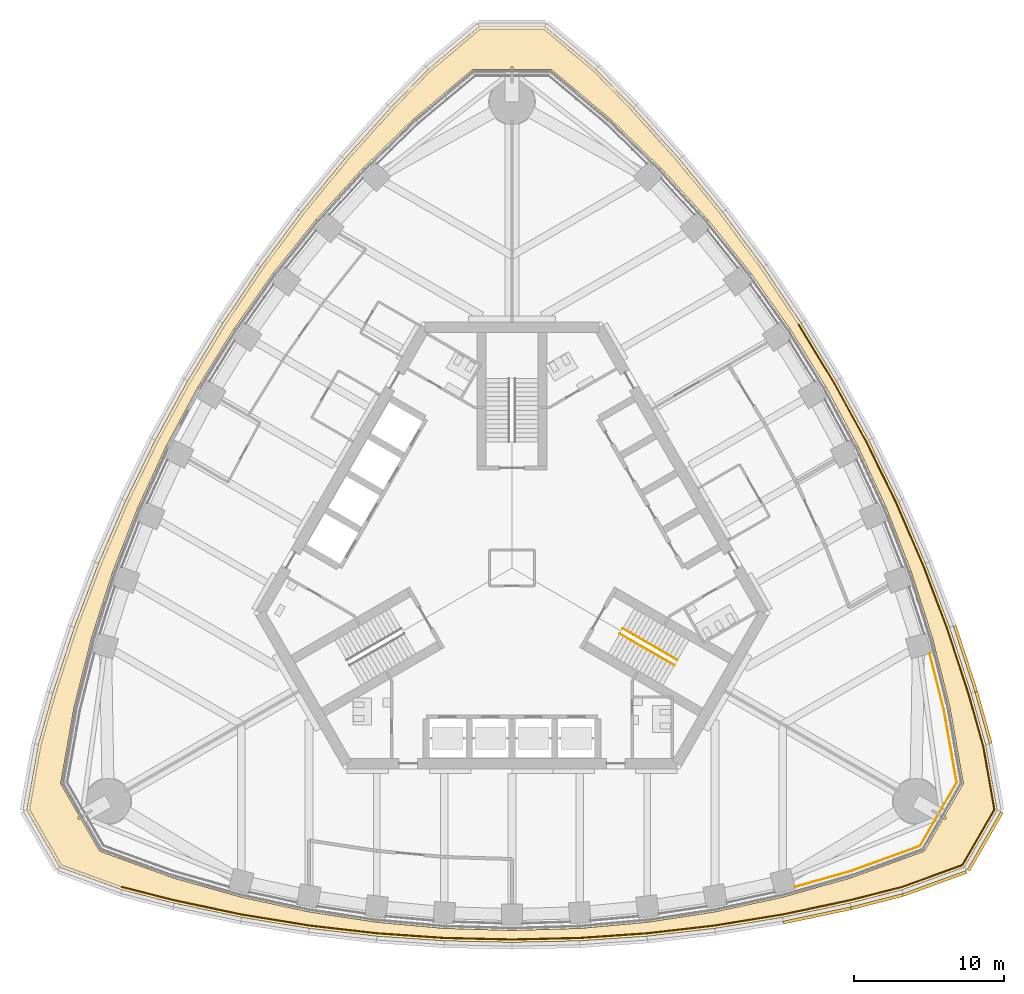
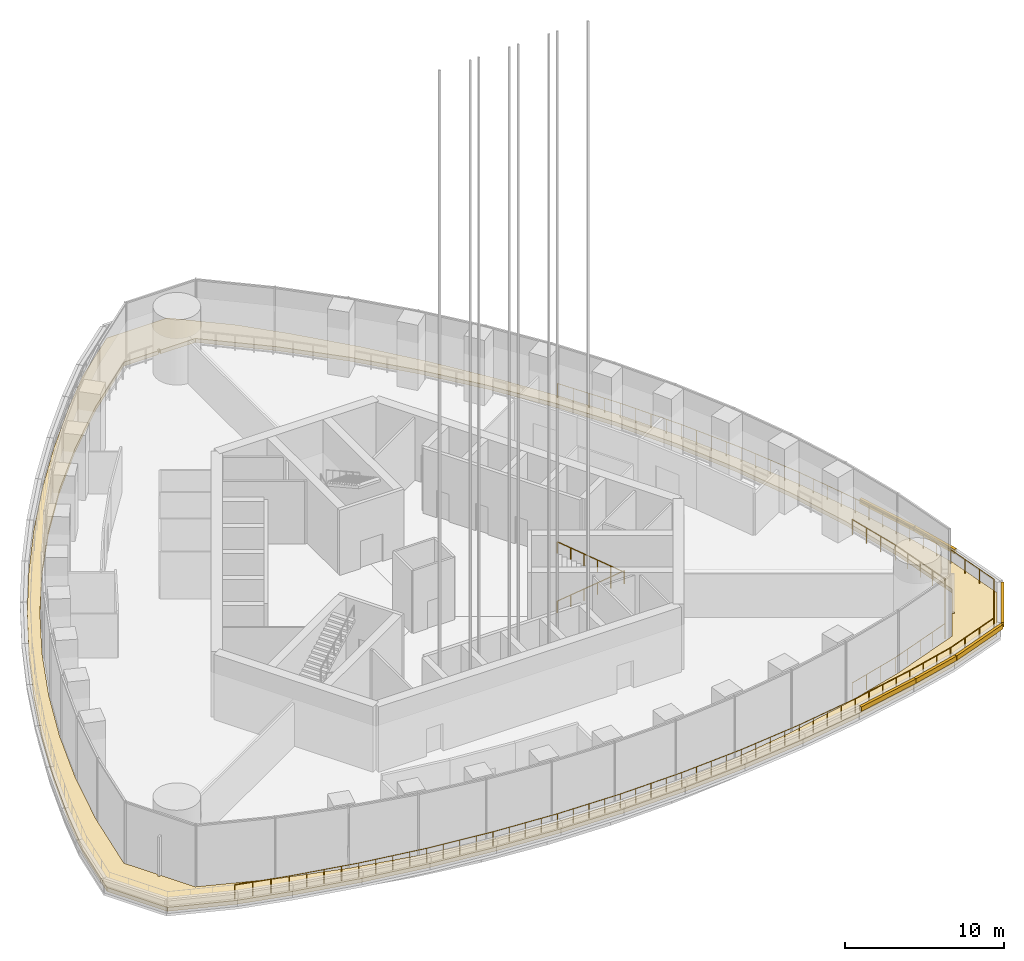
# One storey, part 14 of 26: 7 coverings, 5 railings.
"""IFC4 building model written with IfcOpenShell, lengths in metres."""

from ifc_helpers import new_model, si_unit, direction, frame, origin, origin_2d, place, context, subcontext, project, spatial, polyline, rectangle, circle, outline, extrude, material, layer, layer_set, type_object, element, save


model = new_model("IFC4")

# Units and contexts
model_context = context("Model", 3, precision=1e-05, world=origin(), true_north=direction((0.0, 1.0)))
body_context = subcontext(model_context, "Body", "Model", "MODEL_VIEW")
ifc_project = project(units=[si_unit("LENGTHUNIT", "METRE"), si_unit("AREAUNIT", "SQUARE_METRE"), si_unit("VOLUMEUNIT", "CUBIC_METRE"), si_unit("PLANEANGLEUNIT", "RADIAN"), si_unit("MASSUNIT", "GRAM", prefix="KILO")], contexts=[model_context])

# Site, building, storey
site_placement = place(None, origin())
site = spatial("IfcSite", under=ifc_project, at=site_placement, CompositionType="ELEMENT")
building_placement = place(site_placement, origin())
building = spatial("IfcBuilding", under=site, at=building_placement, Name="Trefoil Bronze Tower", CompositionType="ELEMENT")
storey_placement = place(building_placement, frame((0.0, 0.0, 271.300048828125)))
storey = spatial("IfcBuildingStorey", under=building, at=storey_placement, Name="L62", CompositionType="ELEMENT", Elevation=271.300048828125)

# Railings
ifc_material_1 = material(Name="Bronze-finish steel guard rail and posts", Category="steel")
railing_type_1 = type_object("IfcRailingType", Name="Glazing guard 1200", PredefinedType="GUARDRAIL", material=ifc_material_1)
railing_1_placement = place(storey_placement, frame((18.819580078125, -21.20849609375, 0.0)))
element("IfcRailing", 1, at=railing_1_placement, inside=storey, type_object=railing_type_1, Name="Glazing guard L62.12", PredefinedType="GUARDRAIL", context=body_context, shape_type="SweptSolid", body=[
    extrude(circle(Radius=0.02392578125, at=origin_2d()), frame((0.0, 0.0, 1.17578125), z_axis=(0.962099460504, 0.272698786389, 0.0), x_axis=(-0.272698786389, 0.962099460504, 0.0)), (0.0, 0.0, 1.0), 3.875732421875),
    extrude(circle(Radius=0.02392578125, at=origin_2d()), frame((3.728759765625, 1.056884765625, 1.17578125), z_axis=(0.939688198053, 0.342032294441, 0.0), x_axis=(-0.342032294441, 0.939688198053, 0.0)), (0.0, 0.0, 1.0), 4.87939453125),
    extrude(circle(Radius=0.02392578125, at=origin_2d()), frame((8.31396484375, 2.725830078125, 1.17578125), z_axis=(0.500014398087, 0.866017090885, 0.0), x_axis=(-0.866017090885, 0.500014398087, 0.0)), (0.0, 0.0, 1.0), 2.36474609375),
    extrude(circle(Radius=0.02099609375, at=origin_2d()), origin(), (0.0, 0.0, 1.0), 1.15185546875),
    extrude(circle(Radius=0.02099609375, at=origin_2d()), frame((1.242919921875, 0.352294921875, 0.0)), (0.0, 0.0, 1.0), 1.15185546875),
    extrude(circle(Radius=0.02099609375, at=origin_2d()), frame((2.48583984375, 0.70458984375, 0.0)), (0.0, 0.0, 1.0), 1.15185546875),
    extrude(circle(Radius=0.02099609375, at=origin_2d()), frame((3.728759765625, 1.056884765625, 0.0)), (0.0, 0.0, 1.0), 1.15185546875),
    extrude(circle(Radius=0.02099609375, at=origin_2d()), frame((4.875, 1.47412109375, 0.0)), (0.0, 0.0, 1.0), 1.15185546875),
    extrude(circle(Radius=0.02099609375, at=origin_2d()), frame((6.021484375, 1.891357421875, 0.0)), (0.0, 0.0, 1.0), 1.15185546875),
    extrude(circle(Radius=0.02099609375, at=origin_2d()), frame((7.167724609375, 2.30859375, 0.0)), (0.0, 0.0, 1.0), 1.15185546875),
    extrude(circle(Radius=0.02099609375, at=origin_2d()), frame((8.31396484375, 2.725830078125, 0.0)), (0.0, 0.0, 1.0), 1.15185546875),
    extrude(circle(Radius=0.02099609375, at=origin_2d()), frame((8.9052734375, 3.749755859375, 0.0)), (0.0, 0.0, 1.0), 1.15185546875),
    extrude(circle(Radius=0.02099609375, at=origin_2d()), frame((9.496337890625, 4.773681640625, 0.0)), (0.0, 0.0, 1.0), 1.15185546875),
])
railing_2_placement = place(storey_placement, frame((28.390869140625, -16.304931640625, 0.0)))
element("IfcRailing", 2, at=railing_2_placement, inside=storey, type_object=railing_type_1, Name="Glazing guard L62.13", PredefinedType="GUARDRAIL", context=body_context, shape_type="SweptSolid", body=[
    extrude(circle(Radius=0.02392578125, at=origin_2d()), frame((0.0, 0.0, 1.17578125), z_axis=(0.499969694265, 0.866042900102, 0.0), x_axis=(-0.866042900102, 0.499969694265, 0.0)), (0.0, 0.0, 1.0), 2.364990234375),
    extrude(circle(Radius=0.02392578125, at=origin_2d()), frame((1.182373046875, 2.048095703125, 1.17578125), z_axis=(-0.173674011699, 0.984803197426, 0.0), x_axis=(-0.984803197426, -0.173674011699, 0.0)), (0.0, 0.0, 1.0), 4.87939453125),
    extrude(circle(Radius=0.02392578125, at=origin_2d()), frame((0.3349609375, 6.853271484375, 1.17578125), z_axis=(-0.244847086549, 0.969561707272, 0.0), x_axis=(-0.969561707272, -0.244847086549, 0.0)), (0.0, 0.0, 1.0), 3.875732421875),
    extrude(circle(Radius=0.02099609375, at=origin_2d()), origin(), (0.0, 0.0, 1.0), 1.15185546875),
    extrude(circle(Radius=0.02099609375, at=origin_2d()), frame((0.59130859375, 1.02392578125, 0.0)), (0.0, 0.0, 1.0), 1.15185546875),
    extrude(circle(Radius=0.02099609375, at=origin_2d()), frame((1.182373046875, 2.048095703125, 0.0)), (0.0, 0.0, 1.0), 1.15185546875),
    extrude(circle(Radius=0.02099609375, at=origin_2d()), frame((0.970458984375, 3.24951171875, 0.0)), (0.0, 0.0, 1.0), 1.15185546875),
    extrude(circle(Radius=0.02099609375, at=origin_2d()), frame((0.7587890625, 4.45068359375, 0.0)), (0.0, 0.0, 1.0), 1.15185546875),
    extrude(circle(Radius=0.02099609375, at=origin_2d()), frame((0.546875, 5.65185546875, 0.0)), (0.0, 0.0, 1.0), 1.15185546875),
    extrude(circle(Radius=0.02099609375, at=origin_2d()), frame((0.3349609375, 6.853271484375, 0.0)), (0.0, 0.0, 1.0), 1.15185546875),
    extrude(circle(Radius=0.02099609375, at=origin_2d()), frame((0.0185546875, 8.10595703125, 0.0)), (0.0, 0.0, 1.0), 1.15185546875),
    extrude(circle(Radius=0.02099609375, at=origin_2d()), frame((-0.297607421875, 9.3583984375, 0.0)), (0.0, 0.0, 1.0), 1.15185546875),
    extrude(circle(Radius=0.02099609375, at=origin_2d()), frame((-0.614013671875, 10.611083984375, 0.0)), (0.0, 0.0, 1.0), 1.15185546875),
])
ifc_material_2 = material(Name="Steel handrail", Category="steel")
railing_type_2 = type_object("IfcRailingType", Name="Handrail 900", PredefinedType="HANDRAIL", material=ifc_material_2)
railing_3_placement = place(storey_placement, frame((7.365966796875, -4.021728515625, 0.16650390625)))
element("IfcRailing", 3, at=railing_3_placement, inside=storey, type_object=railing_type_2, Name="Handrail ST1 flight 1 L62", PredefinedType="HANDRAIL", context=body_context, shape_type="SweptSolid", body=[
    extrude(circle(Radius=0.02392578125, at=origin_2d()), frame((0.0, 0.0, 0.8759765625), z_axis=(0.75701437253, -0.437094753155, 0.485672128651), x_axis=(0.500027713859, 0.866009402589, 0.0)), (0.0, 0.0, 1.0), 4.8046875),
    extrude(circle(Radius=0.02099609375, at=origin_2d()), origin(), (0.0, 0.0, 1.0), 0.851806640625),
    extrude(circle(Radius=0.02099609375, at=origin_2d()), frame((0.7275390625, -0.419921875, 0.466796875)), (0.0, 0.0, 1.0), 0.851806640625),
    extrude(circle(Radius=0.02099609375, at=origin_2d()), frame((1.454833984375, -0.840087890625, 0.933349609375)), (0.0, 0.0, 1.0), 0.851806640625),
    extrude(circle(Radius=0.02099609375, at=origin_2d()), frame((2.182373046875, -1.260009765625, 1.400146484375)), (0.0, 0.0, 1.0), 0.851806640625),
    extrude(circle(Radius=0.02099609375, at=origin_2d()), frame((2.90966796875, -1.68017578125, 1.86669921875)), (0.0, 0.0, 1.0), 0.851806640625),
    extrude(circle(Radius=0.02099609375, at=origin_2d()), frame((3.63720703125, -2.10009765625, 2.33349609375)), (0.0, 0.0, 1.0), 0.851806640625),
])
railing_4_placement = place(storey_placement, frame((10.80322265625, -6.46826171875, 2.66650390625)))
element("IfcRailing", 4, at=railing_4_placement, inside=storey, type_object=railing_type_2, Name="Handrail ST1 flight 2 L62", PredefinedType="HANDRAIL", context=body_context, shape_type="SweptSolid", body=[
    extrude(circle(Radius=0.02392578125, at=origin_2d()), frame((0.0, 0.0, 0.8759765625), z_axis=(-0.75701437253, 0.437094753155, 0.485672128651), x_axis=(-0.500027713859, -0.866009402589, 0.0)), (0.0, 0.0, 1.0), 4.8046875),
    extrude(circle(Radius=0.02099609375, at=origin_2d()), origin(), (0.0, 0.0, 1.0), 0.851806640625),
    extrude(circle(Radius=0.02099609375, at=origin_2d()), frame((-0.7275390625, 0.419921875, 0.466796875)), (0.0, 0.0, 1.0), 0.851806640625),
    extrude(circle(Radius=0.02099609375, at=origin_2d()), frame((-1.454833984375, 0.840087890625, 0.933349609375)), (0.0, 0.0, 1.0), 0.851806640625),
    extrude(circle(Radius=0.02099609375, at=origin_2d()), frame((-2.182373046875, 1.260009765625, 1.400146484375)), (0.0, 0.0, 1.0), 0.851806640625),
    extrude(circle(Radius=0.02099609375, at=origin_2d()), frame((-2.90966796875, 1.68017578125, 1.86669921875)), (0.0, 0.0, 1.0), 0.851806640625),
    extrude(circle(Radius=0.02099609375, at=origin_2d()), frame((-3.63720703125, 2.10009765625, 2.33349609375)), (0.0, 0.0, 1.0), 0.851806640625),
])
ifc_material_3 = material(Name="Galvanised steel guard rail and posts", Category="steel")
railing_type_3 = type_object("IfcRailingType", Name="Roof edge guard 1100", PredefinedType="GUARDRAIL", material=ifc_material_3)
railing_5_placement = place(storey_placement, frame((-25.952880859375, -21.20068359375, 0.300048828125)))
element("IfcRailing", 5, at=railing_5_placement, inside=storey, type_object=railing_type_3, Name="Roof edge guard L62.1 maintenance access only", PredefinedType="GUARDRAIL", context=body_context, shape_type="SweptSolid", body=[
    extrude(circle(Radius=0.02392578125, at=origin_2d()), frame((0.0, 0.0, 1.076171875), z_axis=(0.968933780572, -0.247320296109, 0.0), x_axis=(0.247320296109, 0.968933780572, 0.0)), (0.0, 0.0, 1.0), 3.5634765625),
    extrude(circle(Radius=0.02392578125, at=origin_2d()), frame((3.452880859375, -0.88134765625, 1.076171875), z_axis=(0.978393499054, -0.206751447418, 0.0), x_axis=(0.206751447418, 0.978393499054, 0.0)), (0.0, 0.0, 1.0), 4.599365234375),
    extrude(circle(Radius=0.02392578125, at=origin_2d()), frame((7.952880859375, -1.832275390625, 1.076171875), z_axis=(0.986986525477, -0.160802980469, 0.0), x_axis=(0.160802980469, 0.986986525477, 0.0)), (0.0, 0.0, 1.0), 4.559326171875),
    extrude(circle(Radius=0.02392578125, at=origin_2d()), frame((12.452880859375, -2.5654296875, 1.076171875), z_axis=(0.993382946625, -0.114849124309, 0.0), x_axis=(0.114849124309, 0.993382946625, 0.0)), (0.0, 0.0, 1.0), 4.530029296875),
    extrude(circle(Radius=0.02392578125, at=origin_2d()), frame((16.952880859375, -3.085693359375, 1.076171875), z_axis=(0.997623533978, -0.068900540297, 0.0), x_axis=(0.068900540297, 0.997623533978, 0.0)), (0.0, 0.0, 1.0), 4.5107421875),
    extrude(circle(Radius=0.02392578125, at=origin_2d()), frame((21.452880859375, -3.396484375, 1.076171875), z_axis=(0.99973552509, -0.022997388381, 0.0), x_axis=(0.022997388381, 0.99973552509, 0.0)), (0.0, 0.0, 1.0), 4.501220703125),
    extrude(circle(Radius=0.02392578125, at=origin_2d()), frame((25.952880859375, -3.5, 1.076171875), z_axis=(0.99973552509, 0.022997388381, 0.0), x_axis=(-0.022997388381, 0.99973552509, 0.0)), (0.0, 0.0, 1.0), 4.501220703125),
    extrude(circle(Radius=0.02392578125, at=origin_2d()), frame((30.452880859375, -3.396484375, 1.076171875), z_axis=(0.997623533978, 0.068900540297, 0.0), x_axis=(-0.068900540297, 0.997623533978, 0.0)), (0.0, 0.0, 1.0), 4.5107421875),
    extrude(circle(Radius=0.02392578125, at=origin_2d()), frame((34.952880859375, -3.085693359375, 1.076171875), z_axis=(0.993382946625, 0.114849124309, 0.0), x_axis=(-0.114849124309, 0.993382946625, 0.0)), (0.0, 0.0, 1.0), 4.530029296875),
    extrude(circle(Radius=0.02392578125, at=origin_2d()), frame((39.452880859375, -2.5654296875, 1.076171875), z_axis=(0.986986525477, 0.160802980469, 0.0), x_axis=(-0.160802980469, 0.986986525477, 0.0)), (0.0, 0.0, 1.0), 4.559326171875),
    extrude(circle(Radius=0.02392578125, at=origin_2d()), frame((43.952880859375, -1.832275390625, 1.076171875), z_axis=(0.978393499054, 0.206751447418, 0.0), x_axis=(-0.206751447418, 0.978393499054, 0.0)), (0.0, 0.0, 1.0), 4.599365234375),
    extrude(circle(Radius=0.02392578125, at=origin_2d()), frame((48.452880859375, -0.88134765625, 1.076171875), z_axis=(0.968933780572, 0.247320296109, 0.0), x_axis=(-0.247320296109, 0.968933780572, 0.0)), (0.0, 0.0, 1.0), 3.5634765625),
    extrude(circle(Radius=0.02392578125, at=origin_2d()), frame((51.90576171875, 0.0, 1.076171875), z_axis=(0.939682745244, 0.342047274937, 0.0), x_axis=(-0.342047274937, 0.939682745244, 0.0)), (0.0, 0.0, 1.0), 4.252685546875),
    extrude(circle(Radius=0.02392578125, at=origin_2d()), frame((55.90185546875, 1.45458984375, 1.076171875), z_axis=(0.500010702031, 0.866019224876, 0.0), x_axis=(-0.866019224876, 0.500010702031, 0.0)), (0.0, 0.0, 1.0), 4.25244140625),
    extrude(circle(Radius=0.02392578125, at=origin_2d()), frame((58.028076171875, 5.13720703125, 1.076171875), z_axis=(-0.173673974922, 0.984803203912, 0.0), x_axis=(-0.984803203912, -0.173673974922, 0.0)), (0.0, 0.0, 1.0), 4.25244140625),
    extrude(circle(Radius=0.02392578125, at=origin_2d()), frame((57.28955078125, 9.324951171875, 1.076171875), z_axis=(-0.270257504211, 0.962788077106, 0.0), x_axis=(-0.962788077106, -0.270257504211, 0.0)), (0.0, 0.0, 1.0), 3.563720703125),
    extrude(circle(Radius=0.02392578125, at=origin_2d()), frame((56.326416015625, 12.756103515625, 1.076171875), z_axis=(-0.310154105003, 0.950686294815, 0.0), x_axis=(-0.950686294815, -0.310154105003, 0.0)), (0.0, 0.0, 1.0), 4.599365234375),
    extrude(circle(Radius=0.02392578125, at=origin_2d()), frame((54.89990234375, 17.128662109375, 1.076171875), z_axis=(-0.354219967303, 0.935162132875, 0.0), x_axis=(-0.935162132875, -0.354219967303, 0.0)), (0.0, 0.0, 1.0), 4.559326171875),
    extrude(circle(Radius=0.02392578125, at=origin_2d()), frame((53.284912109375, 21.392333984375, 1.076171875), z_axis=(-0.397208101111, 0.917728567939, 0.0), x_axis=(-0.917728567939, -0.397208101111, 0.0)), (0.0, 0.0, 1.0), 4.530029296875),
    extrude(circle(Radius=0.02392578125, at=origin_2d()), frame((51.485595703125, 25.549560546875, 1.076171875), z_axis=(-0.439142182222, 0.898417577629, 0.0), x_axis=(-0.898417577629, -0.439142182222, 0.0)), (0.0, 0.0, 1.0), 4.510986328125),
    extrude(circle(Radius=0.02392578125, at=origin_2d()), frame((49.504638671875, 29.602294921875, 1.076171875), z_axis=(-0.479972822547, 0.877283357654, 0.0), x_axis=(-0.877283357654, -0.479972822547, 0.0)), (0.0, 0.0, 1.0), 4.5009765625),
    extrude(circle(Radius=0.02392578125, at=origin_2d()), frame((47.34423828125, 33.551025390625, 1.076171875), z_axis=(-0.519766265397, 0.854308509472, 0.0), x_axis=(-0.854308509472, -0.519766265397, 0.0)), (0.0, 0.0, 1.0), 4.501220703125),
    extrude(circle(Radius=0.02099609375, at=origin_2d()), origin(), (0.0, 0.0, 1.0), 1.052001953125),
    extrude(circle(Radius=0.02099609375, at=origin_2d()), frame((1.15087890625, -0.293701171875, 0.0)), (0.0, 0.0, 1.0), 1.052001953125),
    extrude(circle(Radius=0.02099609375, at=origin_2d()), frame((2.302001953125, -0.587646484375, 0.0)), (0.0, 0.0, 1.0), 1.052001953125),
    extrude(circle(Radius=0.02099609375, at=origin_2d()), frame((3.452880859375, -0.88134765625, 0.0)), (0.0, 0.0, 1.0), 1.052001953125),
    extrude(circle(Radius=0.02099609375, at=origin_2d()), frame((4.577880859375, -1.119140625, 0.0)), (0.0, 0.0, 1.0), 1.052001953125),
    extrude(circle(Radius=0.02099609375, at=origin_2d()), frame((5.702880859375, -1.35693359375, 0.0)), (0.0, 0.0, 1.0), 1.052001953125),
    extrude(circle(Radius=0.02099609375, at=origin_2d()), frame((6.827880859375, -1.594482421875, 0.0)), (0.0, 0.0, 1.0), 1.052001953125),
    extrude(circle(Radius=0.02099609375, at=origin_2d()), frame((7.952880859375, -1.832275390625, 0.0)), (0.0, 0.0, 1.0), 1.052001953125),
    extrude(circle(Radius=0.02099609375, at=origin_2d()), frame((9.077880859375, -2.015625, 0.0)), (0.0, 0.0, 1.0), 1.052001953125),
    extrude(circle(Radius=0.02099609375, at=origin_2d()), frame((10.202880859375, -2.19873046875, 0.0)), (0.0, 0.0, 1.0), 1.052001953125),
    extrude(circle(Radius=0.02099609375, at=origin_2d()), frame((11.327880859375, -2.382080078125, 0.0)), (0.0, 0.0, 1.0), 1.052001953125),
    extrude(circle(Radius=0.02099609375, at=origin_2d()), frame((12.452880859375, -2.5654296875, 0.0)), (0.0, 0.0, 1.0), 1.052001953125),
    extrude(circle(Radius=0.02099609375, at=origin_2d()), frame((13.577880859375, -2.695556640625, 0.0)), (0.0, 0.0, 1.0), 1.052001953125),
    extrude(circle(Radius=0.02099609375, at=origin_2d()), frame((14.702880859375, -2.82568359375, 0.0)), (0.0, 0.0, 1.0), 1.052001953125),
    extrude(circle(Radius=0.02099609375, at=origin_2d()), frame((15.827880859375, -2.95556640625, 0.0)), (0.0, 0.0, 1.0), 1.052001953125),
    extrude(circle(Radius=0.02099609375, at=origin_2d()), frame((16.952880859375, -3.085693359375, 0.0)), (0.0, 0.0, 1.0), 1.052001953125),
    extrude(circle(Radius=0.02099609375, at=origin_2d()), frame((18.077880859375, -3.163330078125, 0.0)), (0.0, 0.0, 1.0), 1.052001953125),
    extrude(circle(Radius=0.02099609375, at=origin_2d()), frame((19.202880859375, -3.2412109375, 0.0)), (0.0, 0.0, 1.0), 1.052001953125),
    extrude(circle(Radius=0.02099609375, at=origin_2d()), frame((20.327880859375, -3.31884765625, 0.0)), (0.0, 0.0, 1.0), 1.052001953125),
    extrude(circle(Radius=0.02099609375, at=origin_2d()), frame((21.452880859375, -3.396484375, 0.0)), (0.0, 0.0, 1.0), 1.052001953125),
    extrude(circle(Radius=0.02099609375, at=origin_2d()), frame((22.577880859375, -3.42236328125, 0.0)), (0.0, 0.0, 1.0), 1.052001953125),
    extrude(circle(Radius=0.02099609375, at=origin_2d()), frame((23.702880859375, -3.4482421875, 0.0)), (0.0, 0.0, 1.0), 1.052001953125),
    extrude(circle(Radius=0.02099609375, at=origin_2d()), frame((24.827880859375, -3.47412109375, 0.0)), (0.0, 0.0, 1.0), 1.052001953125),
    extrude(circle(Radius=0.02099609375, at=origin_2d()), frame((25.952880859375, -3.5, 0.0)), (0.0, 0.0, 1.0), 1.052001953125),
    extrude(circle(Radius=0.02099609375, at=origin_2d()), frame((27.077880859375, -3.47412109375, 0.0)), (0.0, 0.0, 1.0), 1.052001953125),
    extrude(circle(Radius=0.02099609375, at=origin_2d()), frame((28.202880859375, -3.4482421875, 0.0)), (0.0, 0.0, 1.0), 1.052001953125),
    extrude(circle(Radius=0.02099609375, at=origin_2d()), frame((29.327880859375, -3.42236328125, 0.0)), (0.0, 0.0, 1.0), 1.052001953125),
    extrude(circle(Radius=0.02099609375, at=origin_2d()), frame((30.452880859375, -3.396484375, 0.0)), (0.0, 0.0, 1.0), 1.052001953125),
    extrude(circle(Radius=0.02099609375, at=origin_2d()), frame((31.577880859375, -3.31884765625, 0.0)), (0.0, 0.0, 1.0), 1.052001953125),
    extrude(circle(Radius=0.02099609375, at=origin_2d()), frame((32.702880859375, -3.2412109375, 0.0)), (0.0, 0.0, 1.0), 1.052001953125),
    extrude(circle(Radius=0.02099609375, at=origin_2d()), frame((33.827880859375, -3.163330078125, 0.0)), (0.0, 0.0, 1.0), 1.052001953125),
    extrude(circle(Radius=0.02099609375, at=origin_2d()), frame((34.952880859375, -3.085693359375, 0.0)), (0.0, 0.0, 1.0), 1.052001953125),
    extrude(circle(Radius=0.02099609375, at=origin_2d()), frame((36.077880859375, -2.95556640625, 0.0)), (0.0, 0.0, 1.0), 1.052001953125),
    extrude(circle(Radius=0.02099609375, at=origin_2d()), frame((37.202880859375, -2.82568359375, 0.0)), (0.0, 0.0, 1.0), 1.052001953125),
    extrude(circle(Radius=0.02099609375, at=origin_2d()), frame((38.327880859375, -2.695556640625, 0.0)), (0.0, 0.0, 1.0), 1.052001953125),
    extrude(circle(Radius=0.02099609375, at=origin_2d()), frame((39.452880859375, -2.5654296875, 0.0)), (0.0, 0.0, 1.0), 1.052001953125),
    extrude(circle(Radius=0.02099609375, at=origin_2d()), frame((40.577880859375, -2.382080078125, 0.0)), (0.0, 0.0, 1.0), 1.052001953125),
    extrude(circle(Radius=0.02099609375, at=origin_2d()), frame((41.702880859375, -2.19873046875, 0.0)), (0.0, 0.0, 1.0), 1.052001953125),
    extrude(circle(Radius=0.02099609375, at=origin_2d()), frame((42.827880859375, -2.015625, 0.0)), (0.0, 0.0, 1.0), 1.052001953125),
    extrude(circle(Radius=0.02099609375, at=origin_2d()), frame((43.952880859375, -1.832275390625, 0.0)), (0.0, 0.0, 1.0), 1.052001953125),
    extrude(circle(Radius=0.02099609375, at=origin_2d()), frame((45.077880859375, -1.594482421875, 0.0)), (0.0, 0.0, 1.0), 1.052001953125),
    extrude(circle(Radius=0.02099609375, at=origin_2d()), frame((46.202880859375, -1.35693359375, 0.0)), (0.0, 0.0, 1.0), 1.052001953125),
    extrude(circle(Radius=0.02099609375, at=origin_2d()), frame((47.327880859375, -1.119140625, 0.0)), (0.0, 0.0, 1.0), 1.052001953125),
    extrude(circle(Radius=0.02099609375, at=origin_2d()), frame((48.452880859375, -0.88134765625, 0.0)), (0.0, 0.0, 1.0), 1.052001953125),
    extrude(circle(Radius=0.02099609375, at=origin_2d()), frame((49.603759765625, -0.587646484375, 0.0)), (0.0, 0.0, 1.0), 1.052001953125),
    extrude(circle(Radius=0.02099609375, at=origin_2d()), frame((50.7548828125, -0.293701171875, 0.0)), (0.0, 0.0, 1.0), 1.052001953125),
    extrude(circle(Radius=0.02099609375, at=origin_2d()), frame((51.90576171875, 0.0, 0.0)), (0.0, 0.0, 1.0), 1.052001953125),
    extrude(circle(Radius=0.02099609375, at=origin_2d()), frame((53.23779296875, 0.48486328125, 0.0)), (0.0, 0.0, 1.0), 1.052001953125),
    extrude(circle(Radius=0.02099609375, at=origin_2d()), frame((54.56982421875, 0.9697265625, 0.0)), (0.0, 0.0, 1.0), 1.052001953125),
    extrude(circle(Radius=0.02099609375, at=origin_2d()), frame((55.90185546875, 1.45458984375, 0.0)), (0.0, 0.0, 1.0), 1.052001953125),
    extrude(circle(Radius=0.02099609375, at=origin_2d()), frame((56.610595703125, 2.68212890625, 0.0)), (0.0, 0.0, 1.0), 1.052001953125),
    extrude(circle(Radius=0.02099609375, at=origin_2d()), frame((57.3193359375, 3.90966796875, 0.0)), (0.0, 0.0, 1.0), 1.052001953125),
    extrude(circle(Radius=0.02099609375, at=origin_2d()), frame((58.028076171875, 5.13720703125, 0.0)), (0.0, 0.0, 1.0), 1.052001953125),
    extrude(circle(Radius=0.02099609375, at=origin_2d()), frame((57.781982421875, 6.533203125, 0.0)), (0.0, 0.0, 1.0), 1.052001953125),
    extrude(circle(Radius=0.02099609375, at=origin_2d()), frame((57.53564453125, 7.928955078125, 0.0)), (0.0, 0.0, 1.0), 1.052001953125),
    extrude(circle(Radius=0.02099609375, at=origin_2d()), frame((57.28955078125, 9.324951171875, 0.0)), (0.0, 0.0, 1.0), 1.052001953125),
    extrude(circle(Radius=0.02099609375, at=origin_2d()), frame((56.968505859375, 10.46875, 0.0)), (0.0, 0.0, 1.0), 1.052001953125),
    extrude(circle(Radius=0.02099609375, at=origin_2d()), frame((56.6474609375, 11.6123046875, 0.0)), (0.0, 0.0, 1.0), 1.052001953125),
    extrude(circle(Radius=0.02099609375, at=origin_2d()), frame((56.326416015625, 12.756103515625, 0.0)), (0.0, 0.0, 1.0), 1.052001953125),
    extrude(circle(Radius=0.02099609375, at=origin_2d()), frame((55.9697265625, 13.84912109375, 0.0)), (0.0, 0.0, 1.0), 1.052001953125),
    extrude(circle(Radius=0.02099609375, at=origin_2d()), frame((55.61328125, 14.9423828125, 0.0)), (0.0, 0.0, 1.0), 1.052001953125),
    extrude(circle(Radius=0.02099609375, at=origin_2d()), frame((55.256591796875, 16.03564453125, 0.0)), (0.0, 0.0, 1.0), 1.052001953125),
    extrude(circle(Radius=0.02099609375, at=origin_2d()), frame((54.89990234375, 17.128662109375, 0.0)), (0.0, 0.0, 1.0), 1.052001953125),
    extrude(circle(Radius=0.02099609375, at=origin_2d()), frame((54.49609375, 18.194580078125, 0.0)), (0.0, 0.0, 1.0), 1.052001953125),
    extrude(circle(Radius=0.02099609375, at=origin_2d()), frame((54.09228515625, 19.260498046875, 0.0)), (0.0, 0.0, 1.0), 1.052001953125),
    extrude(circle(Radius=0.02099609375, at=origin_2d()), frame((53.688720703125, 20.326416015625, 0.0)), (0.0, 0.0, 1.0), 1.052001953125),
    extrude(circle(Radius=0.02099609375, at=origin_2d()), frame((53.284912109375, 21.392333984375, 0.0)), (0.0, 0.0, 1.0), 1.052001953125),
    extrude(circle(Radius=0.02099609375, at=origin_2d()), frame((52.8349609375, 22.431640625, 0.0)), (0.0, 0.0, 1.0), 1.052001953125),
    extrude(circle(Radius=0.02099609375, at=origin_2d()), frame((52.38525390625, 23.470947265625, 0.0)), (0.0, 0.0, 1.0), 1.052001953125),
    extrude(circle(Radius=0.02099609375, at=origin_2d()), frame((51.935546875, 24.51025390625, 0.0)), (0.0, 0.0, 1.0), 1.052001953125),
    extrude(circle(Radius=0.02099609375, at=origin_2d()), frame((51.485595703125, 25.549560546875, 0.0)), (0.0, 0.0, 1.0), 1.052001953125),
    extrude(circle(Radius=0.02099609375, at=origin_2d()), frame((50.990234375, 26.562744140625, 0.0)), (0.0, 0.0, 1.0), 1.052001953125),
    extrude(circle(Radius=0.02099609375, at=origin_2d()), frame((50.4951171875, 27.575927734375, 0.0)), (0.0, 0.0, 1.0), 1.052001953125),
    extrude(circle(Radius=0.02099609375, at=origin_2d()), frame((50.0, 28.589111328125, 0.0)), (0.0, 0.0, 1.0), 1.052001953125),
    extrude(circle(Radius=0.02099609375, at=origin_2d()), frame((49.504638671875, 29.602294921875, 0.0)), (0.0, 0.0, 1.0), 1.052001953125),
    extrude(circle(Radius=0.02099609375, at=origin_2d()), frame((48.964599609375, 30.58935546875, 0.0)), (0.0, 0.0, 1.0), 1.052001953125),
    extrude(circle(Radius=0.02099609375, at=origin_2d()), frame((48.42431640625, 31.57666015625, 0.0)), (0.0, 0.0, 1.0), 1.052001953125),
    extrude(circle(Radius=0.02099609375, at=origin_2d()), frame((47.88427734375, 32.56396484375, 0.0)), (0.0, 0.0, 1.0), 1.052001953125),
    extrude(circle(Radius=0.02099609375, at=origin_2d()), frame((47.34423828125, 33.551025390625, 0.0)), (0.0, 0.0, 1.0), 1.052001953125),
    extrude(circle(Radius=0.02099609375, at=origin_2d()), frame((46.75927734375, 34.512451171875, 0.0)), (0.0, 0.0, 1.0), 1.052001953125),
    extrude(circle(Radius=0.02099609375, at=origin_2d()), frame((46.17431640625, 35.4736328125, 0.0)), (0.0, 0.0, 1.0), 1.052001953125),
    extrude(circle(Radius=0.02099609375, at=origin_2d()), frame((45.589599609375, 36.43505859375, 0.0)), (0.0, 0.0, 1.0), 1.052001953125),
    extrude(circle(Radius=0.02099609375, at=origin_2d()), frame((45.004638671875, 37.396484375, 0.0)), (0.0, 0.0, 1.0), 1.052001953125),
])

# Coverings
ifc_material_4 = material(Name="Stepped bronze-finish aluminium cornice", Category="aluminium")
covering_type_1 = type_object("IfcCoveringType", Name="Setback cornice 350x200", PredefinedType="MOLDING", material=ifc_material_4)
covering_1_placement = place(storey_placement, frame((20.296630859375, -23.1025390625, 0.75), z_axis=(0.0, 0.0, 1.0), x_axis=(0.97839433593, 0.206747487096, 0.0)))
element("IfcCovering", 6, at=covering_1_placement, inside=storey, type_object=covering_type_1, Name="Setback cornice L62.10", PredefinedType="MOLDING", context=body_context, shape_type="SweptSolid", body=[
    extrude(rectangle(XDim=4.599365234375, YDim=0.199951171875, at=origin_2d()), origin(), (0.0, 0.0, 1.0), 0.35009765625),
])
covering_2_placement = place(storey_placement, frame((24.2822265625, -22.184326171875, 0.75), z_axis=(0.0, 0.0, 1.0), x_axis=(0.968934035402, 0.247319297752, 0.0)))
element("IfcCovering", 7, at=covering_2_placement, inside=storey, type_object=covering_type_1, Name="Setback cornice L62.11", PredefinedType="MOLDING", context=body_context, shape_type="SweptSolid", body=[
    extrude(rectangle(XDim=3.563720703125, YDim=0.199951171875, at=origin_2d()), origin(), (0.0, 0.0, 1.0), 0.35009765625),
])
for number, where, z_axis, x_axis, name in (
    (8, (28.13232421875, -20.971923828125, 0.75), (0.0, 0.0, 1.0), (0.93969262078, 0.342020143342, 0.0), "Setback cornice L62.12"),
    (9, (31.471435546875, -18.170166015625, 0.75), (0.0, 0.0, 1.0), (0.50000000003, 0.866025403767, 0.0), "Setback cornice L62.13"),
):
    element("IfcCovering", number, at=place(storey_placement, frame(where, z_axis=z_axis, x_axis=x_axis)), inside=storey, type_object=covering_type_1, Name=name, PredefinedType="MOLDING", context=body_context, shape_type="SweptSolid", body=[
        extrude(rectangle(XDim=4.474853515625, YDim=0.199951171875, at=origin_2d()), origin(), (0.0, 0.0, 1.0), 0.35009765625),
    ])
covering_3_placement = place(storey_placement, frame((31.353271484375, -9.936767578125, 0.75), z_axis=(0.0, 0.0, 1.0), x_axis=(-0.270282222985, 0.96278113813, 0.0)))
element("IfcCovering", 10, at=covering_3_placement, inside=storey, type_object=covering_type_1, Name="Setback cornice L62.15", PredefinedType="MOLDING", context=body_context, shape_type="SweptSolid", body=[
    extrude(rectangle(XDim=3.563720703125, YDim=0.199951171875, at=origin_2d()), origin(), (0.0, 0.0, 1.0), 0.35009765625),
])
covering_4_placement = place(storey_placement, frame((30.15576171875, -6.02587890625, 0.75), z_axis=(0.0, 0.0, 1.0), x_axis=(-0.310148591788, 0.950688093442, 0.0)))
element("IfcCovering", 11, at=covering_4_placement, inside=storey, type_object=covering_type_1, Name="Setback cornice L62.16", PredefinedType="MOLDING", context=body_context, shape_type="SweptSolid", body=[
    extrude(rectangle(XDim=4.599365234375, YDim=0.199951171875, at=origin_2d()), origin(), (0.0, 0.0, 1.0), 0.35009765625),
])
ifc_material_5 = material(Name="Inverted roof: bitumen membrane, 200 extruded polystyrene, concrete paving slabs", Category="concrete")
ifc_layer = layer(ifc_material_5, 0.300048828125)
ifc_layer_set = layer_set([ifc_layer], Name="Setback roof build-up 300")
covering_type_2 = type_object("IfcCoveringType", Name="Setback roof build-up 300", PredefinedType="ROOFING", material=ifc_layer_set)
covering_5_placement = place(storey_placement, origin())
element("IfcCovering", 12, at=covering_5_placement, inside=storey, type_object=covering_type_2, Name="Setback roof build-up L62 maintenance access only", PredefinedType="ROOFING", context=body_context, shape_type="SweptSolid", body=[
    extrude(outline(polyline([(-25.952880859375, -21.400634765625), (-30.07763671875, -19.8994140625), (-32.272216796875, -16.09814453125), (-31.510009765625, -11.775634765625), (-30.546875, -8.344482421875), (-29.120361328125, -3.971923828125), (-27.505126953125, 0.291748046875), (-25.705810546875, 4.448974609375), (-23.72509765625, 8.50146484375), (-21.564697265625, 12.450439453125), (-19.22509765625, 16.295654296875), (-16.705810546875, 20.037353515625), (-14.005126953125, 23.67431640625), (-11.120361328125, 27.204833984375), (-8.046875, 30.62646484375), (-5.556884765625, 33.17626953125), (-2.194580078125, 35.99755859375), (2.194580078125, 35.99755859375), (5.556884765625, 33.17626953125), (8.046875, 30.62646484375), (11.120361328125, 27.204833984375), (14.005126953125, 23.67431640625), (16.705810546875, 20.037353515625), (19.22509765625, 16.295654296875), (21.564697265625, 12.450439453125), (23.72509765625, 8.50146484375), (25.705810546875, 4.448974609375), (27.505126953125, 0.291748046875), (29.120361328125, -3.971923828125), (30.546875, -8.344482421875), (31.510009765625, -11.775634765625), (32.272216796875, -16.09814453125), (30.07763671875, -19.8994140625), (25.952880859375, -21.400634765625), (22.5, -22.281982421875), (18.0, -23.23291015625), (13.5, -23.966064453125), (9.0, -24.486328125), (4.5, -24.797119140625), (0.0, -24.900634765625), (-4.5, -24.797119140625), (-9.0, -24.486328125), (-13.5, -23.966064453125), (-18.0, -23.23291015625), (-22.5, -22.281982421875), (-25.952880859375, -21.400634765625)]), holes=[polyline([(-4.5, -23.96533203125), (0.0, -24.1015625), (4.5, -23.96533203125), (9.0, -23.55517578125), (13.5, -22.8662109375), (18.0, -21.890869140625), (22.54833984375, -20.6015625), (27.4228515625, -18.827392578125), (28.68212890625, -16.646240234375), (28.818359375, -16.724853515625), (28.893310546875, -16.594970703125), (28.757080078125, -16.516357421875), (30.016357421875, -14.335205078125), (29.11572265625, -9.2265625), (27.9580078125, -4.64306640625), (26.552734375, -0.25830078125), (24.8994140625, 3.9833984375), (23.004638671875, 8.08544921875), (20.87255859375, 12.05078125), (18.504638671875, 15.8798828125), (15.8994140625, 19.57177734375), (13.052734375, 23.12451171875), (9.9580078125, 26.533935546875), (6.5673828125, 29.828125), (2.59375, 33.16259765625), (0.074951171875, 33.16259765625), (0.074951171875, 33.31982421875), (-0.074951171875, 33.31982421875), (-0.074951171875, 33.16259765625), (-2.59375, 33.16259765625), (-6.5673828125, 29.828125), (-9.9580078125, 26.533935546875), (-13.052734375, 23.12451171875), (-15.8994140625, 19.57177734375), (-18.504638671875, 15.8798828125), (-20.87255859375, 12.05078125), (-23.004638671875, 8.08544921875), (-24.8994140625, 3.9833984375), (-26.552734375, -0.25830078125), (-27.9580078125, -4.64306640625), (-29.11572265625, -9.2265625), (-30.016357421875, -14.335205078125), (-28.757080078125, -16.516357421875), (-28.893310546875, -16.594970703125), (-28.818359375, -16.724853515625), (-28.68212890625, -16.646240234375), (-27.4228515625, -18.827392578125), (-22.54833984375, -20.6015625), (-18.0, -21.890869140625), (-13.5, -22.8662109375), (-9.0, -23.55517578125), (-4.5, -23.96533203125)])]), origin(), (0.0, 0.0, 1.0), 0.300048828125),
])

save(model, "model.ifc")
